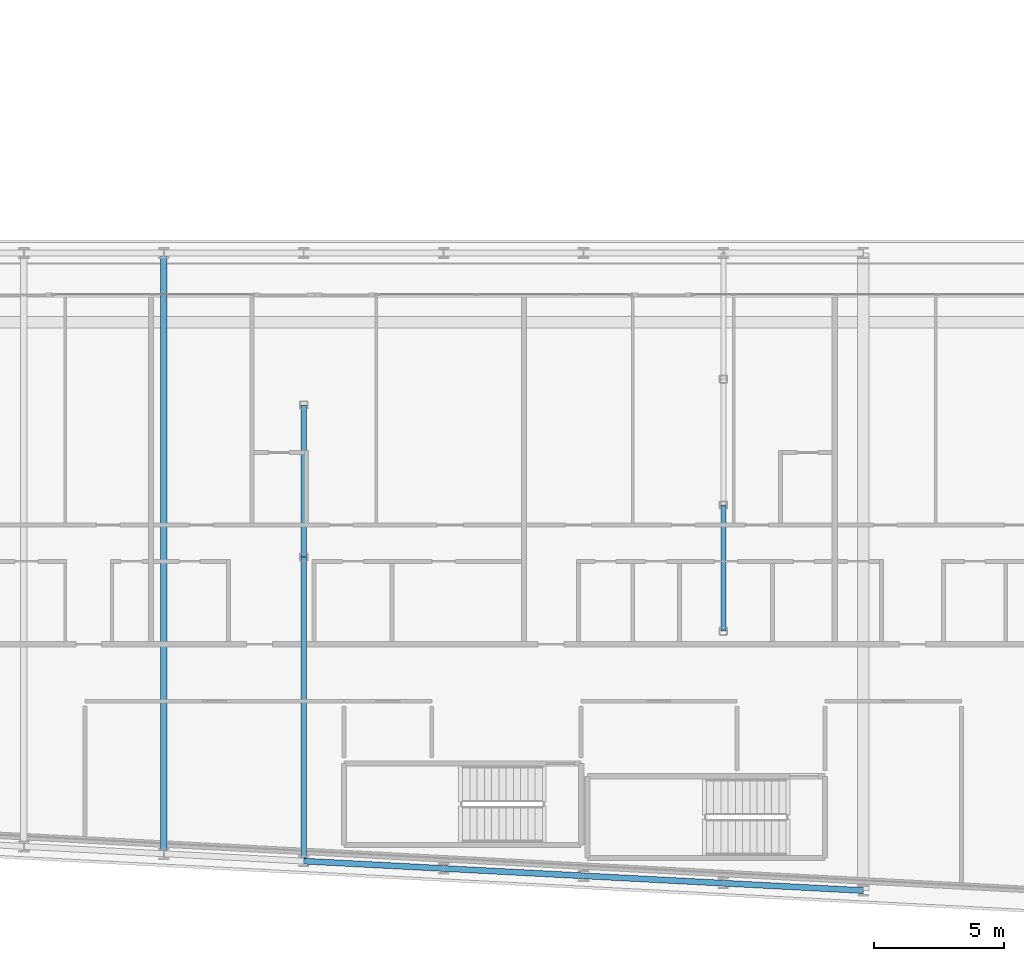
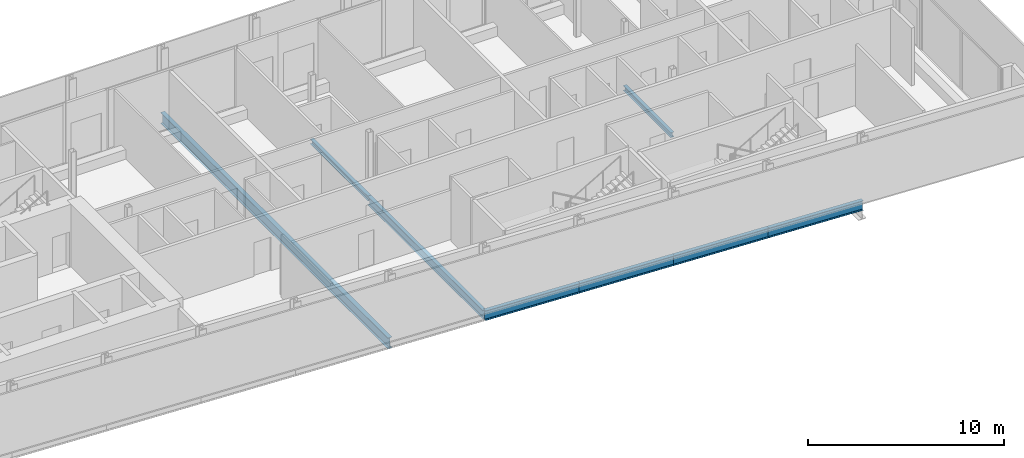
# One storey, part 7 of 29: 8 beams.
"""IFC4 building model written with IfcOpenShell, lengths in metres."""

from ifc_helpers import new_model, si_unit, direction, frame, origin, origin_2d, place, context, subcontext, project, spatial, i_section, extrude, material, material_profile, profile_set, type_object, element, save


model = new_model("IFC4")

# Units and contexts
model_context = context("Model", 3, precision=1e-05, world=origin(), true_north=direction((0.0, 1.0)))
body_context = subcontext(model_context, "Body", "Model", "MODEL_VIEW")
ifc_project = project(units=[si_unit("LENGTHUNIT", "METRE"), si_unit("AREAUNIT", "SQUARE_METRE"), si_unit("VOLUMEUNIT", "CUBIC_METRE"), si_unit("PLANEANGLEUNIT", "RADIAN"), si_unit("MASSUNIT", "GRAM", prefix="KILO")], contexts=[model_context])

# Site, building, storey
site_placement = place(None, origin())
site = spatial("IfcSite", under=ifc_project, at=site_placement, CompositionType="ELEMENT")
building_placement = place(site_placement, origin())
building = spatial("IfcBuilding", under=site, at=building_placement, Name="Kheshtan School and Residences Tower", CompositionType="ELEMENT")
storey_placement = place(building_placement, frame((0.0, 0.0, 179.89990234375)))
storey = spatial("IfcBuildingStorey", under=building, at=storey_placement, Name="L42", CompositionType="ELEMENT", Elevation=179.89990234375)

# Beams
ifc_material = material(Name="Steel ASTM A992 Grade 50", Category="steel")
ifc_material_profile_1 = material_profile(ifc_material, i_section(OverallWidth=0.202880859375, OverallDepth=0.302978515625, WebThickness=0.007568359375, FlangeThickness=0.01318359375, FilletRadius=0.009033203125, at=origin_2d()), Name="W310x60")
ifc_profile_set_1 = profile_set([ifc_material_profile_1], Name="Steel ASTM A992 Grade 50")
beam_type_1 = type_object("IfcBeamType", Name="Beam FB1 W310x60 ASTM A992 Grade 50", PredefinedType="BEAM", material=ifc_profile_set_1)
beam_1_placement = place(storey_placement, frame((85.39990234375, 31.0048828125, -0.301513671875), z_axis=(0.0, 1.0, 0.0), x_axis=(-1.0, 0.0, 0.0)))
element("IfcBeam", 1, at=beam_1_placement, inside=storey, type_object=beam_type_1, Name="Floor beam IC", PredefinedType="BEAM", context=body_context, shape_type="SweptSolid", body=[
    extrude(i_section(OverallWidth=0.202880859375, OverallDepth=0.302978515625, WebThickness=0.007568359375, FlangeThickness=0.01318359375, FilletRadius=0.009033203125, at=origin_2d()), origin(), (0.0, 0.0, 1.0), 4.865234375),
])
beam_2_placement = place(storey_placement, frame((69.199951171875, 33.863037109375, -0.301513671875), z_axis=(0.0, 1.0, 0.0), x_axis=(-1.0, 0.0, 0.0)))
element("IfcBeam", 2, at=beam_2_placement, inside=storey, type_object=beam_type_1, Name="Floor beam IC", PredefinedType="BEAM", context=body_context, shape_type="SweptSolid", body=[
    extrude(i_section(OverallWidth=0.202880859375, OverallDepth=0.302978515625, WebThickness=0.007568359375, FlangeThickness=0.01318359375, FilletRadius=0.009033203125, at=origin_2d()), origin(), (0.0, 0.0, 1.0), 5.868896484375),
])
ifc_material_profile_2 = material_profile(ifc_material, i_section(OverallWidth=0.208984375, OverallDepth=0.532958984375, WebThickness=0.01025390625, FlangeThickness=0.015625, FilletRadius=0.013916015625, at=origin_2d()), Name="W530x92")
ifc_profile_set_2 = profile_set([ifc_material_profile_2], Name="Steel ASTM A992 Grade 50")
beam_type_2 = type_object("IfcBeamType", Name="Beam FB4 W530x92 ASTM A992 Grade 50", PredefinedType="BEAM", material=ifc_profile_set_2)
beam_3_placement = place(storey_placement, frame((69.199951171875, 22.126953125, -0.41650390625), z_axis=(0.0, 1.0, 0.0), x_axis=(-1.0, 0.0, 0.0)))
element("IfcBeam", 3, at=beam_3_placement, inside=storey, type_object=beam_type_2, Name="Floor beam C014", PredefinedType="BEAM", context=body_context, shape_type="SweptSolid", body=[
    extrude(i_section(OverallWidth=0.208984375, OverallDepth=0.532958984375, WebThickness=0.01025390625, FlangeThickness=0.015625, FilletRadius=0.013916015625, at=origin_2d()), origin(), (0.0, 0.0, 1.0), 11.736083984375),
])
ifc_material_profile_3 = material_profile(ifc_material, i_section(OverallWidth=0.2529296875, OverallDepth=0.677978515625, WebThickness=0.01171875, FlangeThickness=0.016357421875, FilletRadius=0.0146484375, at=origin_2d()), Name="W690x125")
ifc_profile_set_3 = profile_set([ifc_material_profile_3], Name="Steel ASTM A992 Grade 50")
beam_type_3 = type_object("IfcBeamType", Name="Beam FB6 W690x125 ASTM A992 Grade 50", PredefinedType="BEAM", material=ifc_profile_set_3)
beam_4_placement = place(storey_placement, frame((63.800048828125, 45.60009765625, -0.489013671875), z_axis=(0.0, -1.0, 0.0), x_axis=(1.0, 0.0, 0.0)))
element("IfcBeam", 4, at=beam_4_placement, inside=storey, type_object=beam_type_3, Name="Floor beam C063", PredefinedType="BEAM", context=body_context, shape_type="SweptSolid", body=[
    extrude(i_section(OverallWidth=0.2529296875, OverallDepth=0.677978515625, WebThickness=0.01171875, FlangeThickness=0.016357421875, FilletRadius=0.0146484375, at=origin_2d()), origin(), (0.0, 0.0, 1.0), 23.189208984375),
])
ifc_material_profile_4 = material_profile(ifc_material, i_section(OverallWidth=0.22802734375, OverallDepth=0.60302734375, WebThickness=0.010498046875, FlangeThickness=0.014892578125, FilletRadius=0.013427734375, at=origin_2d()), Name="W610x101")
ifc_profile_set_4 = profile_set([ifc_material_profile_4], Name="Steel ASTM A992 Grade 50")
beam_type_4 = type_object("IfcBeamType", Name="Beam SP2 W610x101 ASTM A992 Grade 50", PredefinedType="BEAM", material=ifc_profile_set_4)
beam_5_placement = place(storey_placement, frame((90.800048828125, 20.989990234375, -0.451416015625), z_axis=(-0.998620571751, 0.05250670125, 0.0), x_axis=(-0.05250670125, -0.998620571751, 0.0)))
element("IfcBeam", 5, at=beam_5_placement, inside=storey, type_object=beam_type_4, Name="Spandrel beam C006-C008", PredefinedType="BEAM", context=body_context, shape_type="SweptSolid", body=[
    extrude(i_section(OverallWidth=0.22802734375, OverallDepth=0.60302734375, WebThickness=0.010498046875, FlangeThickness=0.014892578125, FilletRadius=0.013427734375, at=origin_2d()), origin(), (0.0, 0.0, 1.0), 5.40771484375),
])
for number, where, z_axis, x_axis, name in (
    (6, (85.39990234375, 21.27392578125, -0.451416015625), (-0.998618078766, 0.052554093665, 0.0), (-0.052554093665, -0.998618078766, 0.0), "Spandrel beam C008-C012"),
    (7, (80.0, 21.55810546875, -0.451416015625), (-0.998610961136, 0.052689166816, 0.0), (-0.052689166816, -0.998610961136, 0.0), "Spandrel beam C012-C013"),
):
    element("IfcBeam", number, at=place(storey_placement, frame(where, z_axis=z_axis, x_axis=x_axis)), inside=storey, type_object=beam_type_4, Name=name, PredefinedType="BEAM", context=body_context, shape_type="SweptSolid", body=[
        extrude(i_section(OverallWidth=0.22802734375, OverallDepth=0.60302734375, WebThickness=0.010498046875, FlangeThickness=0.014892578125, FilletRadius=0.013427734375, at=origin_2d()), origin(), (0.0, 0.0, 1.0), 5.407470703125),
    ])
beam_6_placement = place(storey_placement, frame((74.60009765625, 21.843017578125, -0.451416015625), z_axis=(-0.998620571751, 0.05250670125, 0.0), x_axis=(-0.05250670125, -0.998620571751, 0.0)))
element("IfcBeam", 8, at=beam_6_placement, inside=storey, type_object=beam_type_4, Name="Spandrel beam C013-C014", PredefinedType="BEAM", context=body_context, shape_type="SweptSolid", body=[
    extrude(i_section(OverallWidth=0.22802734375, OverallDepth=0.60302734375, WebThickness=0.010498046875, FlangeThickness=0.014892578125, FilletRadius=0.013427734375, at=origin_2d()), origin(), (0.0, 0.0, 1.0), 5.40771484375),
])

save(model, "model.ifc")
